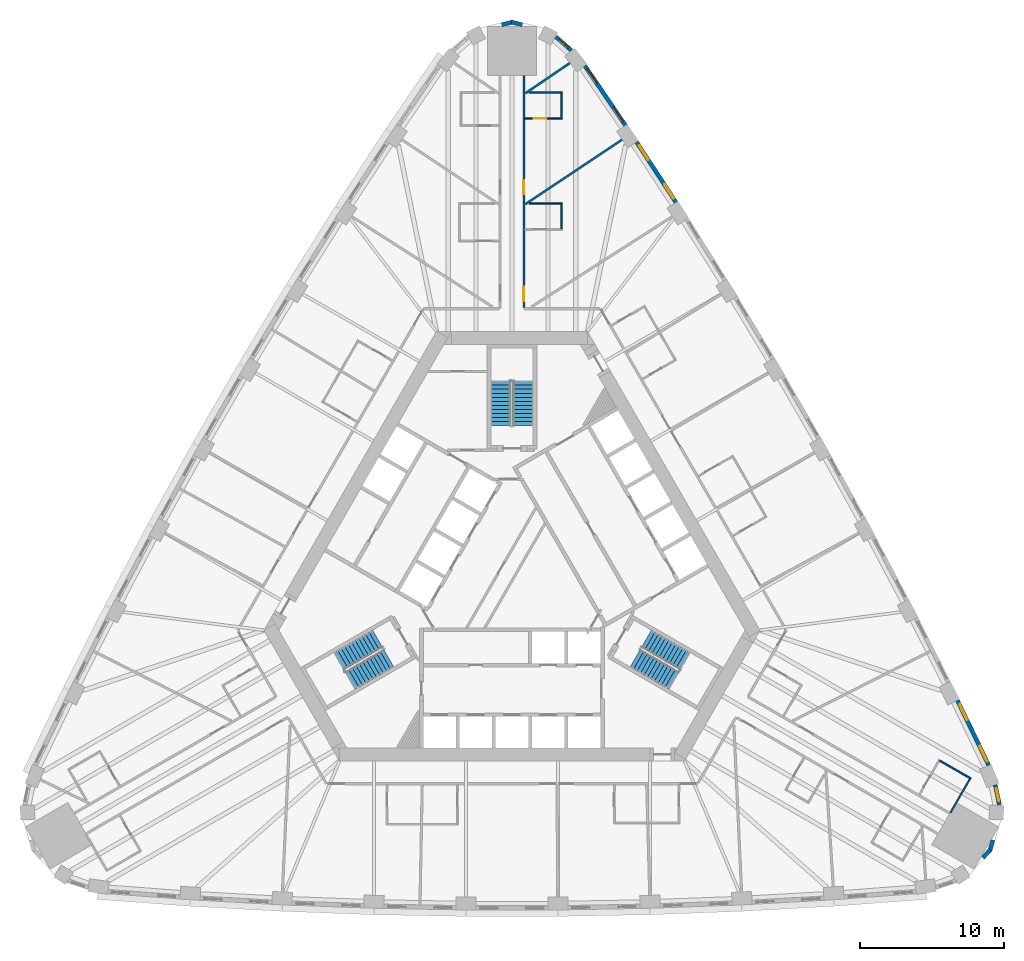
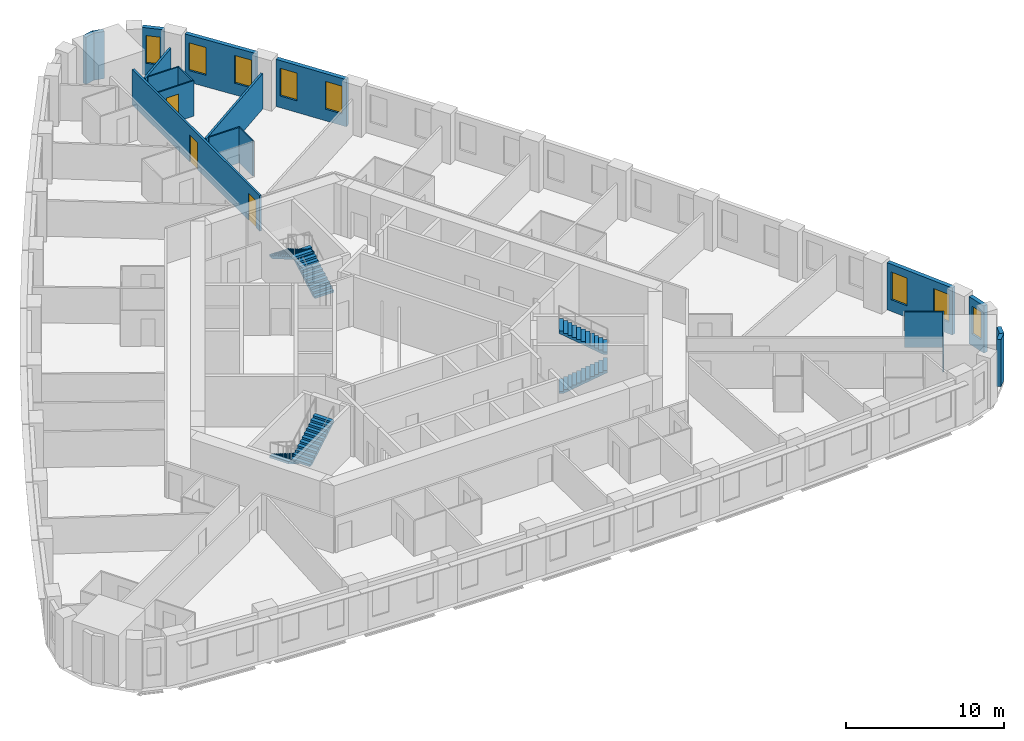
# One storey, part 11 of 12: 19 walls, 8 windows, 6 stair flights, 3 doors, 11 openings, 3 elements without a shape of their own.
"""IFC4 building model written with IfcOpenShell, lengths in metres."""

from ifc_helpers import new_model, si_unit, direction, frame, frame_2d, origin, place, context, subcontext, project, spatial, polyline, rectangle, outline, extrude, material, layer, layer_set, type_object, element, fill, aggregate, save


model = new_model("IFC4")

# Units and contexts
model_context = context("Model", 3, precision=1e-05, world=origin(), true_north=direction((0.0, 1.0)))
body_context = subcontext(model_context, "Body", "Model", "MODEL_VIEW")
ifc_project = project(units=[si_unit("LENGTHUNIT", "METRE"), si_unit("AREAUNIT", "SQUARE_METRE"), si_unit("VOLUMEUNIT", "CUBIC_METRE"), si_unit("PLANEANGLEUNIT", "RADIAN"), si_unit("MASSUNIT", "GRAM", prefix="KILO")], contexts=[model_context])

# Site, building, storey
site_placement = place(None, origin())
site = spatial("IfcSite", under=ifc_project, at=site_placement, CompositionType="ELEMENT")
building_placement = place(site_placement, origin())
building = spatial("IfcBuilding", under=site, at=building_placement, Name="Mestral Congress Tower", CompositionType="ELEMENT")
storey_placement = place(building_placement, frame((0.0, 0.0, 70.5)))
storey = spatial("IfcBuildingStorey", under=building, at=storey_placement, Name="L16", CompositionType="ELEMENT", Elevation=70.5)

# Walls
ifc_material_1 = material(Name="Precast concrete C40/50 with limestone facing", Category="masonry")
ifc_layer_1 = layer(ifc_material_1, 0.2900390625)
ifc_layer_set_1 = layer_set([ifc_layer_1], Name="Precast concrete C40/50 with limestone facing")
wall_type_1 = type_object("IfcWallType", Name="Facade stone wall 290", PredefinedType="SOLIDWALL", material=ifc_layer_set_1)
for number, where, z_axis, x_axis, name in (
    (1, (32.762451171875, -19.732177734375, 0.0), (0.0, 0.0, 1.0), (0.692252359589, 0.721655506903, 0.0), "Facade wall K0-1"),
    (2, (33.256591796875, -19.24072265625, 0.0), (0.0, 0.0, 1.0), (0.278981320915, 0.960296528464, 0.0), "Facade wall K0-2"),
):
    element("IfcWall", number, at=place(storey_placement, frame(where, z_axis=z_axis, x_axis=x_axis)), inside=storey, type_object=wall_type_1, Name=name, PredefinedType="SOLIDWALL", context=body_context, shape_type="SweptSolid", body=[
        extrude(rectangle(XDim=0.763916015625, YDim=0.2900390625, at=frame_2d((0.3818359375, 0.0))), origin(), (0.0, 0.0, 1.0), 3.64990234375),
    ])

# Wall, opening, window
wall_1_placement = place(storey_placement, frame((33.91748046875, -16.043701171875, 0.0), z_axis=(0.0, 0.0, 1.0), x_axis=(-0.198106888228, 0.980180422594, 0.0)))
wall_1 = element("IfcWall", 3, at=wall_1_placement, inside=storey, type_object=wall_type_1, Name="Facade wall K0-3", PredefinedType="SOLIDWALL", context=body_context, shape_type="SweptSolid", body=[
    extrude(rectangle(XDim=1.414794921875, YDim=0.2900390625, at=frame_2d((0.70751953125, 0.0))), origin(), (0.0, 0.0, 1.0), 3.64990234375),
])
opening_1_placement = place(wall_1_placement, frame((0.25732421875, 0.0, 0.89990234375)))
opening_1 = element("IfcOpeningElement", 4, at=opening_1_placement, cuts=wall_1, Name="Opening W3", PredefinedType="OPENING", context=body_context, shape_type="SweptSolid", body=[
    extrude(rectangle(XDim=0.89990234375, YDim=2.14990234375, at=frame_2d((0.449951171875, 1.074951171875))), frame((0.0, 0.155029296875, 0.0), z_axis=(0.0, -1.0, 0.0), x_axis=(1.0, 0.0, 0.0)), (0.0, 0.0, 1.0), 0.31005859375),
])
ifc_material_2 = material(Name="Clear low-emissivity double glazing", Category="glass")
window_type_1 = type_object("IfcWindowType", Name="Facade punched window 900 x 2150 sill 900", PartitioningType="SINGLE_PANEL", PredefinedType="WINDOW", material=ifc_material_2)
window_1_placement = place(opening_1_placement, origin())
window_1 = element("IfcWindow", 5, at=window_1_placement, inside=storey, type_object=window_type_1, Name="Window K0-3", OverallHeight=2.14990234375, OverallWidth=0.89990234375, PartitioningType="SINGLE_PANEL", PredefinedType="WINDOW", context=body_context, shape_type="SweptSolid", body=[
    extrude(rectangle(XDim=0.89990234375, YDim=2.14990234375, at=frame_2d((0.449951171875, 1.074951171875))), frame((0.0, 0.01513671875, 0.0), z_axis=(0.0, -1.0, 0.0), x_axis=(1.0, 0.0, 0.0)), (0.0, 0.0, 1.0), 0.06005859375),
])
fill(opening_1, window_1)

# Wall, openings, windows
wall_2_placement = place(storey_placement, frame((33.176025390625, -13.290283203125, 0.0), z_axis=(0.0, 0.0, 1.0), x_axis=(-0.434664499056, 0.900592456808, 0.0)))
wall_2 = element("IfcWall", 6, at=wall_2_placement, inside=storey, type_object=wall_type_1, Name="Facade wall F1-00", PredefinedType="SOLIDWALL", context=body_context, shape_type="SweptSolid", body=[
    extrude(rectangle(XDim=5.005615234375, YDim=0.2900390625, at=frame_2d((2.5029296875, 0.0))), origin(), (0.0, 0.0, 1.0), 3.64990234375),
])
opening_2_placement = place(wall_2_placement, frame((0.265380859375, 0.0, 0.89990234375)))
opening_2 = element("IfcOpeningElement", 7, at=opening_2_placement, cuts=wall_2, Name="Opening W1", PredefinedType="OPENING", context=body_context, shape_type="SweptSolid", body=[
    extrude(rectangle(XDim=1.199951171875, YDim=2.14990234375, at=frame_2d((0.60009765625, 1.074951171875))), frame((0.0, 0.155029296875, 0.0), z_axis=(0.0, -1.0, 0.0), x_axis=(1.0, 0.0, 0.0)), (0.0, 0.0, 1.0), 0.31005859375),
])
opening_3_placement = place(wall_2_placement, frame((3.49560546875, 0.0, 0.89990234375)))
opening_3 = element("IfcOpeningElement", 8, at=opening_3_placement, cuts=wall_2, Name="Opening W1", PredefinedType="OPENING", context=body_context, shape_type="SweptSolid", body=[
    extrude(rectangle(XDim=1.199951171875, YDim=2.14990234375, at=frame_2d((0.60009765625, 1.074951171875))), frame((0.0, 0.155029296875, 0.0), z_axis=(0.0, -1.0, 0.0), x_axis=(1.0, 0.0, 0.0)), (0.0, 0.0, 1.0), 0.31005859375),
])
window_type_2 = type_object("IfcWindowType", Name="Facade punched window 1200 x 2150 sill 900", PartitioningType="DOUBLE_PANEL_VERTICAL", PredefinedType="WINDOW", material=ifc_material_2)
window_2_placement = place(opening_2_placement, origin())
window_2 = element("IfcWindow", 9, at=window_2_placement, inside=storey, type_object=window_type_2, Name="Window F1-00a", OverallHeight=2.14990234375, OverallWidth=1.199951171875, PartitioningType="DOUBLE_PANEL_VERTICAL", PredefinedType="WINDOW", context=body_context, shape_type="SweptSolid", body=[
    extrude(rectangle(XDim=1.199951171875, YDim=2.14990234375, at=frame_2d((0.60009765625, 1.074951171875))), frame((0.0, 0.01513671875, 0.0), z_axis=(0.0, -1.0, 0.0), x_axis=(1.0, 0.0, 0.0)), (0.0, 0.0, 1.0), 0.06005859375),
])
fill(opening_2, window_2)
window_3_placement = place(opening_3_placement, origin())
window_3 = element("IfcWindow", 10, at=window_3_placement, inside=storey, type_object=window_type_2, Name="Window F1-00b", OverallHeight=2.14990234375, OverallWidth=1.199951171875, PartitioningType="DOUBLE_PANEL_VERTICAL", PredefinedType="WINDOW", context=body_context, shape_type="SweptSolid", body=[
    extrude(rectangle(XDim=1.199951171875, YDim=2.14990234375, at=frame_2d((0.60009765625, 1.074951171875))), frame((0.0, 0.01513671875, 0.0), z_axis=(0.0, -1.0, 0.0), x_axis=(1.0, 0.0, 0.0)), (0.0, 0.0, 1.0), 0.06005859375),
])
fill(opening_3, window_3)

wall_3_placement = place(storey_placement, frame((11.41064453125, 25.884033203125, 0.0), z_axis=(0.0, 0.0, 1.0), x_axis=(-0.547204617628, 0.836998868845, 0.0)))
wall_3 = element("IfcWall", 11, at=wall_3_placement, inside=storey, type_object=wall_type_1, Name="Facade wall F1-07", PredefinedType="SOLIDWALL", context=body_context, shape_type="SweptSolid", body=[
    extrude(rectangle(XDim=4.998291015625, YDim=0.2900390625, at=frame_2d((2.4990234375, 0.0))), origin(), (0.0, 0.0, 1.0), 3.64990234375),
])
opening_4_placement = place(wall_3_placement, frame((0.297119140625, 0.0, 0.89990234375)))
opening_4 = element("IfcOpeningElement", 12, at=opening_4_placement, cuts=wall_3, Name="Opening W1", PredefinedType="OPENING", context=body_context, shape_type="SweptSolid", body=[
    extrude(rectangle(XDim=1.199951171875, YDim=2.14990234375, at=frame_2d((0.60009765625, 1.074951171875))), frame((0.0, 0.155029296875, 0.0), z_axis=(0.0, -1.0, 0.0), x_axis=(1.0, 0.0, 0.0)), (0.0, 0.0, 1.0), 0.31005859375),
])
opening_5_placement = place(wall_3_placement, frame((3.501220703125, 0.0, 0.89990234375)))
opening_5 = element("IfcOpeningElement", 13, at=opening_5_placement, cuts=wall_3, Name="Opening W1", PredefinedType="OPENING", context=body_context, shape_type="SweptSolid", body=[
    extrude(rectangle(XDim=1.199951171875, YDim=2.14990234375, at=frame_2d((0.60009765625, 1.074951171875))), frame((0.0, 0.155029296875, 0.0), z_axis=(0.0, -1.0, 0.0), x_axis=(1.0, 0.0, 0.0)), (0.0, 0.0, 1.0), 0.31005859375),
])
window_4_placement = place(opening_4_placement, origin())
window_4 = element("IfcWindow", 14, at=window_4_placement, inside=storey, type_object=window_type_2, Name="Window F1-07a", OverallHeight=2.14990234375, OverallWidth=1.199951171875, PartitioningType="DOUBLE_PANEL_VERTICAL", PredefinedType="WINDOW", context=body_context, shape_type="SweptSolid", body=[
    extrude(rectangle(XDim=1.199951171875, YDim=2.14990234375, at=frame_2d((0.60009765625, 1.074951171875))), frame((0.0, 0.01513671875, 0.0), z_axis=(0.0, -1.0, 0.0), x_axis=(1.0, 0.0, 0.0)), (0.0, 0.0, 1.0), 0.06005859375),
])
fill(opening_4, window_4)
window_5_placement = place(opening_5_placement, origin())
window_5 = element("IfcWindow", 15, at=window_5_placement, inside=storey, type_object=window_type_2, Name="Window F1-07b", OverallHeight=2.14990234375, OverallWidth=1.199951171875, PartitioningType="DOUBLE_PANEL_VERTICAL", PredefinedType="WINDOW", context=body_context, shape_type="SweptSolid", body=[
    extrude(rectangle(XDim=1.199951171875, YDim=2.14990234375, at=frame_2d((0.60009765625, 1.074951171875))), frame((0.0, 0.01513671875, 0.0), z_axis=(0.0, -1.0, 0.0), x_axis=(1.0, 0.0, 0.0)), (0.0, 0.0, 1.0), 0.06005859375),
])
fill(opening_5, window_5)

wall_4_placement = place(storey_placement, frame((7.89453125, 31.23828125, 0.0), z_axis=(0.0, 0.0, 1.0), x_axis=(-0.562610153679, 0.826722332454, 0.0)))
wall_4 = element("IfcWall", 16, at=wall_4_placement, inside=storey, type_object=wall_type_1, Name="Facade wall F1-08", PredefinedType="SOLIDWALL", context=body_context, shape_type="SweptSolid", body=[
    extrude(rectangle(XDim=5.005615234375, YDim=0.2900390625, at=frame_2d((2.5029296875, 0.0))), origin(), (0.0, 0.0, 1.0), 3.64990234375),
])
opening_6_placement = place(wall_4_placement, frame((0.310302734375, 0.0, 0.89990234375)))
opening_6 = element("IfcOpeningElement", 17, at=opening_6_placement, cuts=wall_4, Name="Opening W1", PredefinedType="OPENING", context=body_context, shape_type="SweptSolid", body=[
    extrude(rectangle(XDim=1.199951171875, YDim=2.14990234375, at=frame_2d((0.60009765625, 1.074951171875))), frame((0.0, 0.155029296875, 0.0), z_axis=(0.0, -1.0, 0.0), x_axis=(1.0, 0.0, 0.0)), (0.0, 0.0, 1.0), 0.31005859375),
])
opening_7_placement = place(wall_4_placement, frame((3.54052734375, 0.0, 0.89990234375)))
opening_7 = element("IfcOpeningElement", 18, at=opening_7_placement, cuts=wall_4, Name="Opening W1", PredefinedType="OPENING", context=body_context, shape_type="SweptSolid", body=[
    extrude(rectangle(XDim=1.199951171875, YDim=2.14990234375, at=frame_2d((0.60009765625, 1.074951171875))), frame((0.0, 0.155029296875, 0.0), z_axis=(0.0, -1.0, 0.0), x_axis=(1.0, 0.0, 0.0)), (0.0, 0.0, 1.0), 0.31005859375),
])
window_6_placement = place(opening_6_placement, origin())
window_6 = element("IfcWindow", 19, at=window_6_placement, inside=storey, type_object=window_type_2, Name="Window F1-08a", OverallHeight=2.14990234375, OverallWidth=1.199951171875, PartitioningType="DOUBLE_PANEL_VERTICAL", PredefinedType="WINDOW", context=body_context, shape_type="SweptSolid", body=[
    extrude(rectangle(XDim=1.199951171875, YDim=2.14990234375, at=frame_2d((0.60009765625, 1.074951171875))), frame((0.0, 0.01513671875, 0.0), z_axis=(0.0, -1.0, 0.0), x_axis=(1.0, 0.0, 0.0)), (0.0, 0.0, 1.0), 0.06005859375),
])
fill(opening_6, window_6)
window_7_placement = place(opening_7_placement, origin())
window_7 = element("IfcWindow", 20, at=window_7_placement, inside=storey, type_object=window_type_2, Name="Window F1-08b", OverallHeight=2.14990234375, OverallWidth=1.199951171875, PartitioningType="DOUBLE_PANEL_VERTICAL", PredefinedType="WINDOW", context=body_context, shape_type="SweptSolid", body=[
    extrude(rectangle(XDim=1.199951171875, YDim=2.14990234375, at=frame_2d((0.60009765625, 1.074951171875))), frame((0.0, 0.01513671875, 0.0), z_axis=(0.0, -1.0, 0.0), x_axis=(1.0, 0.0, 0.0)), (0.0, 0.0, 1.0), 0.06005859375),
])
fill(opening_7, window_7)

# Wall, opening, window
wall_5_placement = place(storey_placement, frame((4.12548828125, 36.458984375, 0.0), z_axis=(0.0, 0.0, 1.0), x_axis=(-0.749812680302, 0.661650167731, 0.0)))
wall_5 = element("IfcWall", 21, at=wall_5_placement, inside=storey, type_object=wall_type_1, Name="Facade wall K1-0", PredefinedType="SOLIDWALL", context=body_context, shape_type="SweptSolid", body=[
    extrude(rectangle(XDim=1.4150390625, YDim=0.2900390625, at=frame_2d((0.70751953125, 0.0))), origin(), (0.0, 0.0, 1.0), 3.64990234375),
])
opening_8_placement = place(wall_5_placement, frame((0.257568359375, 0.0, 0.89990234375)))
opening_8 = element("IfcOpeningElement", 22, at=opening_8_placement, cuts=wall_5, Name="Opening W3", PredefinedType="OPENING", context=body_context, shape_type="SweptSolid", body=[
    extrude(rectangle(XDim=0.89990234375, YDim=2.14990234375, at=frame_2d((0.449951171875, 1.074951171875))), frame((0.0, 0.155029296875, 0.0), z_axis=(0.0, -1.0, 0.0), x_axis=(1.0, 0.0, 0.0)), (0.0, 0.0, 1.0), 0.31005859375),
])
window_8_placement = place(opening_8_placement, origin())
window_8 = element("IfcWindow", 23, at=window_8_placement, inside=storey, type_object=window_type_1, Name="Window K1-0", OverallHeight=2.14990234375, OverallWidth=0.89990234375, PartitioningType="SINGLE_PANEL", PredefinedType="WINDOW", context=body_context, shape_type="SweptSolid", body=[
    extrude(rectangle(XDim=0.89990234375, YDim=2.14990234375, at=frame_2d((0.449951171875, 1.074951171875))), frame((0.0, 0.01513671875, 0.0), z_axis=(0.0, -1.0, 0.0), x_axis=(1.0, 0.0, 0.0)), (0.0, 0.0, 1.0), 0.06005859375),
])
fill(opening_8, window_8)

# Walls
for number, where, z_axis, x_axis, name in (
    (24, (0.707275390625, 38.2392578125, 0.0), (0.0, 0.0, 1.0), (-0.971167582305, 0.238397833629, 0.0), "Facade wall K1-1"),
    (25, (0.03466796875, 38.42138671875, 0.0), (0.0, 0.0, 1.0), (-0.971167582305, -0.238397833629, 0.0), "Facade wall K1-2"),
):
    element("IfcWall", number, at=place(storey_placement, frame(where, z_axis=z_axis, x_axis=x_axis)), inside=storey, type_object=wall_type_1, Name=name, PredefinedType="SOLIDWALL", context=body_context, shape_type="SweptSolid", body=[
        extrude(rectangle(XDim=0.763916015625, YDim=0.2900390625, at=frame_2d((0.3818359375, 0.0))), origin(), (0.0, 0.0, 1.0), 3.64990234375),
    ])
ifc_material_3 = material(Name="Gypsum board partition on metal studs with mineral wool", Category="composite")
ifc_layer_2 = layer(ifc_material_3, 0.10009765625)
ifc_layer_set_2 = layer_set([ifc_layer_2], Name="Gypsum board partition on metal studs with mineral wool")
wall_type_2 = type_object("IfcWallType", Name="Hotel partition wall 100", PredefinedType="PARTITIONING", material=ifc_layer_set_2)
wall_6_placement = place(storey_placement, frame((29.770751953125, -12.973388671875, 0.0), z_axis=(0.0, 0.0, 1.0), x_axis=(0.865980596518, -0.500077600433, 0.0)))
element("IfcWall", 26, at=wall_6_placement, inside=storey, type_object=wall_type_2, Name="L16-h-pod08b", PredefinedType="PARTITIONING", context=body_context, shape_type="SweptSolid", body=[
    extrude(rectangle(XDim=2.39990234375, YDim=0.10009765625, at=frame_2d((1.199951171875, 0.0))), origin(), (0.0, 0.0, 1.0), 2.75),
])
wall_7_placement = place(storey_placement, frame((30.517578125, -16.580078125, 0.0), z_axis=(0.0, 0.0, 1.0), x_axis=(0.49998411664, 0.866034573852, 0.0)))
element("IfcWall", 27, at=wall_7_placement, inside=storey, type_object=wall_type_2, Name="L16-h-pod08c", PredefinedType="PARTITIONING", context=body_context, shape_type="SweptSolid", body=[
    extrude(rectangle(XDim=2.7998046875, YDim=0.10009765625, at=frame_2d((1.39990234375, 0.0))), origin(), (0.0, 0.0, 1.0), 2.75),
])
wall_8_placement = place(storey_placement, frame((3.449951171875, 24.04443359375, 0.0), z_axis=(0.0, 0.0, 1.0), x_axis=(0.0, 1.0, 0.0)))
element("IfcWall", 28, at=wall_8_placement, inside=storey, type_object=wall_type_2, Name="L16-h-pod14b", PredefinedType="PARTITIONING", context=body_context, shape_type="SweptSolid", body=[
    extrude(rectangle(XDim=1.699951171875, YDim=0.10009765625, at=frame_2d((0.85009765625, 0.0))), origin(), (0.0, 0.0, 1.0), 2.75),
])
wall_9_placement = place(storey_placement, frame((1.2099609375, 25.79443359375, 0.0), z_axis=(0.0, 0.0, 1.0), x_axis=(1.0, 0.0, 0.0)))
element("IfcWall", 29, at=wall_9_placement, inside=storey, type_object=wall_type_2, Name="L16-h-pod14c", PredefinedType="PARTITIONING", context=body_context, shape_type="SweptSolid", body=[
    extrude(rectangle(XDim=2.2900390625, YDim=0.10009765625, at=frame_2d((1.14501953125, 0.0))), origin(), (0.0, 0.0, 1.0), 2.75),
])

# Wall, opening, door
wall_10_placement = place(storey_placement, frame((0.89990234375, 31.70849609375, 0.0), z_axis=(0.0, 0.0, 1.0), x_axis=(1.0, 0.0, 0.0)))
wall_10 = element("IfcWall", 30, at=wall_10_placement, inside=storey, type_object=wall_type_2, Name="L16-h-pod15a", PredefinedType="PARTITIONING", context=body_context, shape_type="SweptSolid", body=[
    extrude(rectangle(XDim=2.60009765625, YDim=0.10009765625, at=frame_2d((1.300048828125, 0.0))), origin(), (0.0, 0.0, 1.0), 2.75),
])
opening_9_placement = place(wall_10_placement, frame((0.60009765625, 0.0, 0.0)))
opening_9 = element("IfcOpeningElement", 31, at=opening_9_placement, cuts=wall_10, Name="Opening H04-030", PredefinedType="OPENING", context=body_context, shape_type="SweptSolid", body=[
    extrude(rectangle(XDim=0.89990234375, YDim=2.10009765625, at=frame_2d((0.449951171875, 1.050048828125))), frame((0.0, 0.06005859375, 0.0), z_axis=(0.0, -1.0, 0.0), x_axis=(1.0, 0.0, 0.0)), (0.0, 0.0, 1.0), 0.1201171875),
])
ifc_material_4 = material(Name="Timber veneer door leaf in timber frame", Category="wood")
door_type_1 = type_object("IfcDoorType", Name="Bathroom door 900", OperationType="SINGLE_SWING_LEFT", PredefinedType="DOOR", material=ifc_material_4)
door_1_placement = place(opening_9_placement, origin())
door_1 = element("IfcDoor", 32, at=door_1_placement, inside=storey, type_object=door_type_1, Name="L16-h-d030", OperationType="SINGLE_SWING_RIGHT", OverallHeight=2.10009765625, OverallWidth=0.89990234375, PredefinedType="DOOR", context=body_context, shape_type="SweptSolid", body=[
    extrude(rectangle(XDim=0.89990234375, YDim=2.10009765625, at=frame_2d((0.449951171875, 1.050048828125))), frame((0.0, 0.02490234375, 0.0), z_axis=(0.0, -1.0, 0.0), x_axis=(1.0, 0.0, 0.0)), (0.0, 0.0, 1.0), 0.050048828125),
])
fill(opening_9, door_1)

# Walls
wall_11_placement = place(storey_placement, frame((3.449951171875, 31.758544921875, 0.0), z_axis=(0.0, 0.0, 1.0), x_axis=(0.0, 1.0, 0.0)))
element("IfcWall", 33, at=wall_11_placement, inside=storey, type_object=wall_type_2, Name="L16-h-pod15b", PredefinedType="PARTITIONING", context=body_context, shape_type="SweptSolid", body=[
    extrude(rectangle(XDim=1.699951171875, YDim=0.10009765625, at=frame_2d((0.85009765625, 0.0))), origin(), (0.0, 0.0, 1.0), 2.75),
])
wall_12_placement = place(storey_placement, frame((1.199951171875, 33.508544921875, 0.0), z_axis=(0.0, 0.0, 1.0), x_axis=(1.0, 0.0, 0.0)))
element("IfcWall", 34, at=wall_12_placement, inside=storey, type_object=wall_type_2, Name="L16-h-pod15c", PredefinedType="PARTITIONING", context=body_context, shape_type="SweptSolid", body=[
    extrude(rectangle(XDim=2.300048828125, YDim=0.10009765625, at=frame_2d((1.14990234375, 0.0))), origin(), (0.0, 0.0, 1.0), 2.75),
])

# Wall, openings, doors
ifc_layer_3 = layer(ifc_material_3, 0.14990234375)
ifc_layer_set_3 = layer_set([ifc_layer_3], Name="Gypsum board partition on metal studs with mineral wool")
wall_type_3 = type_object("IfcWallType", Name="Hotel partition wall 150", PredefinedType="PARTITIONING", material=ifc_layer_set_3)
wall_13_placement = place(storey_placement, frame((0.824951171875, 34.698974609375, 0.0), z_axis=(0.0, 0.0, 1.0), x_axis=(0.0, -1.0, 0.0)))
wall_13 = element("IfcWall", 35, at=wall_13_placement, inside=storey, type_object=wall_type_3, Name="L16-h-cw05", PredefinedType="PARTITIONING", context=body_context, shape_type="SweptSolid", body=[
    extrude(rectangle(XDim=16.14404296875, YDim=0.14990234375, at=frame_2d((8.072021484375, 0.0))), origin(), (0.0, 0.0, 1.0), 2.75),
])
opening_10_placement = place(wall_13_placement, frame((14.7138671875, 0.0, 0.0)))
opening_10 = element("IfcOpeningElement", 36, at=opening_10_placement, cuts=wall_13, Name="Opening H04-027", PredefinedType="OPENING", context=body_context, shape_type="SweptSolid", body=[
    extrude(rectangle(XDim=1.0, YDim=2.10009765625, at=frame_2d((0.5, 1.050048828125))), frame((0.0, 0.0849609375, 0.0), z_axis=(0.0, -1.0, 0.0), x_axis=(1.0, 0.0, 0.0)), (0.0, 0.0, 1.0), 0.169921875),
])
opening_11_placement = place(wall_13_placement, frame((7.274658203125, 0.0, 0.0)))
opening_11 = element("IfcOpeningElement", 37, at=opening_11_placement, cuts=wall_13, Name="Opening H04-029", PredefinedType="OPENING", context=body_context, shape_type="SweptSolid", body=[
    extrude(rectangle(XDim=1.0, YDim=2.10009765625, at=frame_2d((0.5, 1.050048828125))), frame((0.0, 0.0849609375, 0.0), z_axis=(0.0, -1.0, 0.0), x_axis=(1.0, 0.0, 0.0)), (0.0, 0.0, 1.0), 0.169921875),
])
ifc_material_5 = material(Name="Timber veneer door leaf in metal frame", Category="wood")
door_type_2 = type_object("IfcDoorType", Name="Guest room entrance door 1000", OperationType="SINGLE_SWING_LEFT", PredefinedType="DOOR", material=ifc_material_5)
door_2_placement = place(opening_10_placement, origin())
door_2 = element("IfcDoor", 38, at=door_2_placement, inside=storey, type_object=door_type_2, Name="L16-h-d027", OperationType="SINGLE_SWING_RIGHT", OverallHeight=2.10009765625, OverallWidth=1.0, PredefinedType="DOOR", context=body_context, shape_type="SweptSolid", body=[
    extrude(rectangle(XDim=1.0, YDim=2.10009765625, at=frame_2d((0.5, 1.050048828125))), frame((0.0, 0.02490234375, 0.0), z_axis=(0.0, -1.0, 0.0), x_axis=(1.0, 0.0, 0.0)), (0.0, 0.0, 1.0), 0.050048828125),
])
fill(opening_10, door_2)
door_3_placement = place(opening_11_placement, origin())
door_3 = element("IfcDoor", 39, at=door_3_placement, inside=storey, type_object=door_type_2, Name="L16-h-d029", OperationType="SINGLE_SWING_RIGHT", OverallHeight=2.10009765625, OverallWidth=1.0, PredefinedType="DOOR", context=body_context, shape_type="SweptSolid", body=[
    extrude(rectangle(XDim=1.0, YDim=2.10009765625, at=frame_2d((0.5, 1.050048828125))), frame((0.0, 0.02490234375, 0.0), z_axis=(0.0, -1.0, 0.0), x_axis=(1.0, 0.0, 0.0)), (0.0, 0.0, 1.0), 0.050048828125),
])
fill(opening_11, door_3)

# Walls
wall_14_placement = place(storey_placement, frame((7.662353515625, 30.237548828125, 0.0), z_axis=(0.0, 0.0, 1.0), x_axis=(-0.831882886825, -0.554951225431, 0.0)))
element("IfcWall", 40, at=wall_14_placement, inside=storey, type_object=wall_type_3, Name="L16-h-pw12", PredefinedType="PARTITIONING", context=body_context, shape_type="SweptSolid", body=[
    extrude(rectangle(XDim=8.078857421875, YDim=0.14990234375, at=frame_2d((4.03955078125, 0.0))), origin(), (0.0, 0.0, 1.0), 2.75),
])
wall_15_placement = place(storey_placement, frame((4.02783203125, 35.56884765625, 0.0), z_axis=(0.0, 0.0, 1.0), x_axis=(-0.826730622998, -0.562597971021, 0.0)))
element("IfcWall", 41, at=wall_15_placement, inside=storey, type_object=wall_type_3, Name="L16-h-pw15", PredefinedType="PARTITIONING", context=body_context, shape_type="SweptSolid", body=[
    extrude(rectangle(XDim=3.7333984375, YDim=0.14990234375, at=frame_2d((1.86669921875, 0.0))), origin(), (0.0, 0.0, 1.0), 2.75),
])

# Stair, stair flights
ifc_material_6 = material(Name="Concrete C60/75", Category="concrete")
stair_type = type_object("IfcStairType", Name="Exit stair 1400", PredefinedType="HALF_TURN_STAIR", material=ifc_material_6)
placement = place(storey_placement, origin())
stair_1 = element("IfcStair", 42, at=placement, inside=storey, type_object=stair_type, Name="L16 ST1", PredefinedType="HALF_TURN_STAIR")
stair_flight_type = type_object("IfcStairFlightType", Name="Exit stair flight 1400", PredefinedType="STRAIGHT", material=ifc_material_6)
stair_flight_1_placement = place(storey_placement, frame((8.575927734375, -5.84619140625, 0.0), z_axis=(0.0, 0.0, 1.0), x_axis=(0.866025403784, -0.5, 0.0)))
stair_flight_1 = element("IfcStairFlight", 43, at=stair_flight_1_placement, type_object=stair_flight_type, Name="ST1 flight 1", NumberOfRisers=12, NumberOfTreads=11, PredefinedType="STRAIGHT", RiserHeight=0.1625, TreadLength=0.28, context=body_context, shape_type="SweptSolid", body=[
    extrude(outline(polyline([(0.0, 0.0), (0.0, 0.16259765625), (0.280029296875, 0.16259765625), (0.280029296875, 0.324951171875), (0.56005859375, 0.324951171875), (0.56005859375, 0.487548828125), (0.840087890625, 0.487548828125), (0.840087890625, 0.64990234375), (1.1201171875, 0.64990234375), (1.1201171875, 0.8125), (1.39990234375, 0.8125), (1.39990234375, 0.97509765625), (1.679931640625, 0.97509765625), (1.679931640625, 1.137451171875), (1.9599609375, 1.137451171875), (1.9599609375, 1.300048828125), (2.239990234375, 1.300048828125), (2.239990234375, 1.46240234375), (2.52001953125, 1.46240234375), (2.52001953125, 1.625), (2.800048828125, 1.625), (2.800048828125, 1.78759765625), (3.080078125, 1.78759765625), (3.080078125, 1.949951171875), (3.080078125, 1.6142578125), (0.298583984375, 0.0), (0.0, 0.0)])), frame((0.0, 0.699951171875, 0.0), z_axis=(0.0, -1.0, 0.0), x_axis=(1.0, 0.0, 0.0)), (0.0, 0.0, 1.0), 1.39990234375),
])
stair_flight_2_placement = place(storey_placement, frame((12.018310546875, -6.0439453125, 1.949951171875), z_axis=(0.0, 0.0, 1.0), x_axis=(-0.866025403784, 0.5, 0.0)))
stair_flight_2 = element("IfcStairFlight", 44, at=stair_flight_2_placement, type_object=stair_flight_type, Name="ST1 flight 2", NumberOfRisers=12, NumberOfTreads=11, PredefinedType="STRAIGHT", RiserHeight=0.1625, TreadLength=0.28, context=body_context, shape_type="SweptSolid", body=[
    extrude(outline(polyline([(0.0, 0.0), (0.0, 0.16259765625), (0.280029296875, 0.16259765625), (0.280029296875, 0.324951171875), (0.56005859375, 0.324951171875), (0.56005859375, 0.487548828125), (0.840087890625, 0.487548828125), (0.840087890625, 0.64990234375), (1.1201171875, 0.64990234375), (1.1201171875, 0.8125), (1.39990234375, 0.8125), (1.39990234375, 0.97509765625), (1.679931640625, 0.97509765625), (1.679931640625, 1.137451171875), (1.9599609375, 1.137451171875), (1.9599609375, 1.300048828125), (2.239990234375, 1.300048828125), (2.239990234375, 1.46240234375), (2.52001953125, 1.46240234375), (2.52001953125, 1.625), (2.800048828125, 1.625), (2.800048828125, 1.78759765625), (3.080078125, 1.78759765625), (3.080078125, 1.949951171875), (3.080078125, 1.6142578125), (0.298583984375, 0.0), (0.0, 0.0)])), frame((0.0, 0.699951171875, 0.0), z_axis=(0.0, -1.0, 0.0), x_axis=(1.0, 0.0, 0.0)), (0.0, 0.0, 1.0), 1.39990234375),
])
aggregate(stair_1, [stair_flight_1, stair_flight_2])

stair_2 = element("IfcStair", 45, at=placement, inside=storey, type_object=stair_type, Name="L16 ST2", PredefinedType="HALF_TURN_STAIR")
stair_flight_3_placement = place(storey_placement, frame((0.77490234375, 10.35009765625, 0.0), z_axis=(0.0, 0.0, 1.0), x_axis=(0.0, 1.0, 0.0)))
stair_flight_3 = element("IfcStairFlight", 46, at=stair_flight_3_placement, type_object=stair_flight_type, Name="ST2 flight 1", NumberOfRisers=12, NumberOfTreads=11, PredefinedType="STRAIGHT", RiserHeight=0.1625, TreadLength=0.28, context=body_context, shape_type="SweptSolid", body=[
    extrude(outline(polyline([(0.0, 0.0), (0.0, 0.16259765625), (0.280029296875, 0.16259765625), (0.280029296875, 0.324951171875), (0.56005859375, 0.324951171875), (0.56005859375, 0.487548828125), (0.840087890625, 0.487548828125), (0.840087890625, 0.64990234375), (1.1201171875, 0.64990234375), (1.1201171875, 0.8125), (1.39990234375, 0.8125), (1.39990234375, 0.97509765625), (1.679931640625, 0.97509765625), (1.679931640625, 1.137451171875), (1.9599609375, 1.137451171875), (1.9599609375, 1.300048828125), (2.239990234375, 1.300048828125), (2.239990234375, 1.46240234375), (2.52001953125, 1.46240234375), (2.52001953125, 1.625), (2.800048828125, 1.625), (2.800048828125, 1.78759765625), (3.080078125, 1.78759765625), (3.080078125, 1.949951171875), (3.080078125, 1.6142578125), (0.298583984375, 0.0), (0.0, 0.0)])), frame((0.0, 0.699951171875, 0.0), z_axis=(0.0, -1.0, 0.0), x_axis=(1.0, 0.0, 0.0)), (0.0, 0.0, 1.0), 1.39990234375),
])
stair_flight_4_placement = place(storey_placement, frame((-0.77490234375, 13.429931640625, 1.949951171875), z_axis=(0.0, 0.0, 1.0), x_axis=(0.0, -1.0, 0.0)))
stair_flight_4 = element("IfcStairFlight", 47, at=stair_flight_4_placement, type_object=stair_flight_type, Name="ST2 flight 2", NumberOfRisers=12, NumberOfTreads=11, PredefinedType="STRAIGHT", RiserHeight=0.1625, TreadLength=0.28, context=body_context, shape_type="SweptSolid", body=[
    extrude(outline(polyline([(0.0, 0.0), (0.0, 0.16259765625), (0.280029296875, 0.16259765625), (0.280029296875, 0.324951171875), (0.56005859375, 0.324951171875), (0.56005859375, 0.487548828125), (0.840087890625, 0.487548828125), (0.840087890625, 0.64990234375), (1.1201171875, 0.64990234375), (1.1201171875, 0.8125), (1.39990234375, 0.8125), (1.39990234375, 0.97509765625), (1.679931640625, 0.97509765625), (1.679931640625, 1.137451171875), (1.9599609375, 1.137451171875), (1.9599609375, 1.300048828125), (2.239990234375, 1.300048828125), (2.239990234375, 1.46240234375), (2.52001953125, 1.46240234375), (2.52001953125, 1.625), (2.800048828125, 1.625), (2.800048828125, 1.78759765625), (3.080078125, 1.78759765625), (3.080078125, 1.949951171875), (3.080078125, 1.6142578125), (0.298583984375, 0.0), (0.0, 0.0)])), frame((0.0, 0.699951171875, 0.0), z_axis=(0.0, -1.0, 0.0), x_axis=(1.0, 0.0, 0.0)), (0.0, 0.0, 1.0), 1.39990234375),
])
aggregate(stair_2, [stair_flight_3, stair_flight_4])

stair_3 = element("IfcStair", 48, at=placement, inside=storey, type_object=stair_type, Name="L16 ST3", PredefinedType="HALF_TURN_STAIR")
stair_flight_5_placement = place(storey_placement, frame((-9.350830078125, -4.50390625, 0.0), z_axis=(0.0, 0.0, 1.0), x_axis=(-0.866025403784, -0.5, 0.0)))
stair_flight_5 = element("IfcStairFlight", 49, at=stair_flight_5_placement, type_object=stair_flight_type, Name="ST3 flight 1", NumberOfRisers=12, NumberOfTreads=11, PredefinedType="STRAIGHT", RiserHeight=0.1625, TreadLength=0.28, context=body_context, shape_type="SweptSolid", body=[
    extrude(outline(polyline([(0.0, 0.0), (0.0, 0.16259765625), (0.280029296875, 0.16259765625), (0.280029296875, 0.324951171875), (0.56005859375, 0.324951171875), (0.56005859375, 0.487548828125), (0.840087890625, 0.487548828125), (0.840087890625, 0.64990234375), (1.1201171875, 0.64990234375), (1.1201171875, 0.8125), (1.39990234375, 0.8125), (1.39990234375, 0.97509765625), (1.679931640625, 0.97509765625), (1.679931640625, 1.137451171875), (1.9599609375, 1.137451171875), (1.9599609375, 1.300048828125), (2.239990234375, 1.300048828125), (2.239990234375, 1.46240234375), (2.52001953125, 1.46240234375), (2.52001953125, 1.625), (2.800048828125, 1.625), (2.800048828125, 1.78759765625), (3.080078125, 1.78759765625), (3.080078125, 1.949951171875), (3.080078125, 1.6142578125), (0.298583984375, 0.0), (0.0, 0.0)])), frame((0.0, 0.699951171875, 0.0), z_axis=(0.0, -1.0, 0.0), x_axis=(1.0, 0.0, 0.0)), (0.0, 0.0, 1.0), 1.39990234375),
])
stair_flight_6_placement = place(storey_placement, frame((-11.2431640625, -7.38623046875, 1.949951171875), z_axis=(0.0, 0.0, 1.0), x_axis=(0.866025403784, 0.5, 0.0)))
stair_flight_6 = element("IfcStairFlight", 50, at=stair_flight_6_placement, type_object=stair_flight_type, Name="ST3 flight 2", NumberOfRisers=12, NumberOfTreads=11, PredefinedType="STRAIGHT", RiserHeight=0.1625, TreadLength=0.28, context=body_context, shape_type="SweptSolid", body=[
    extrude(outline(polyline([(0.0, 0.0), (0.0, 0.16259765625), (0.280029296875, 0.16259765625), (0.280029296875, 0.324951171875), (0.56005859375, 0.324951171875), (0.56005859375, 0.487548828125), (0.840087890625, 0.487548828125), (0.840087890625, 0.64990234375), (1.1201171875, 0.64990234375), (1.1201171875, 0.8125), (1.39990234375, 0.8125), (1.39990234375, 0.97509765625), (1.679931640625, 0.97509765625), (1.679931640625, 1.137451171875), (1.9599609375, 1.137451171875), (1.9599609375, 1.300048828125), (2.239990234375, 1.300048828125), (2.239990234375, 1.46240234375), (2.52001953125, 1.46240234375), (2.52001953125, 1.625), (2.800048828125, 1.625), (2.800048828125, 1.78759765625), (3.080078125, 1.78759765625), (3.080078125, 1.949951171875), (3.080078125, 1.6142578125), (0.298583984375, 0.0), (0.0, 0.0)])), frame((0.0, 0.699951171875, 0.0), z_axis=(0.0, -1.0, 0.0), x_axis=(1.0, 0.0, 0.0)), (0.0, 0.0, 1.0), 1.39990234375),
])
aggregate(stair_3, [stair_flight_5, stair_flight_6])

save(model, "model.ifc")
